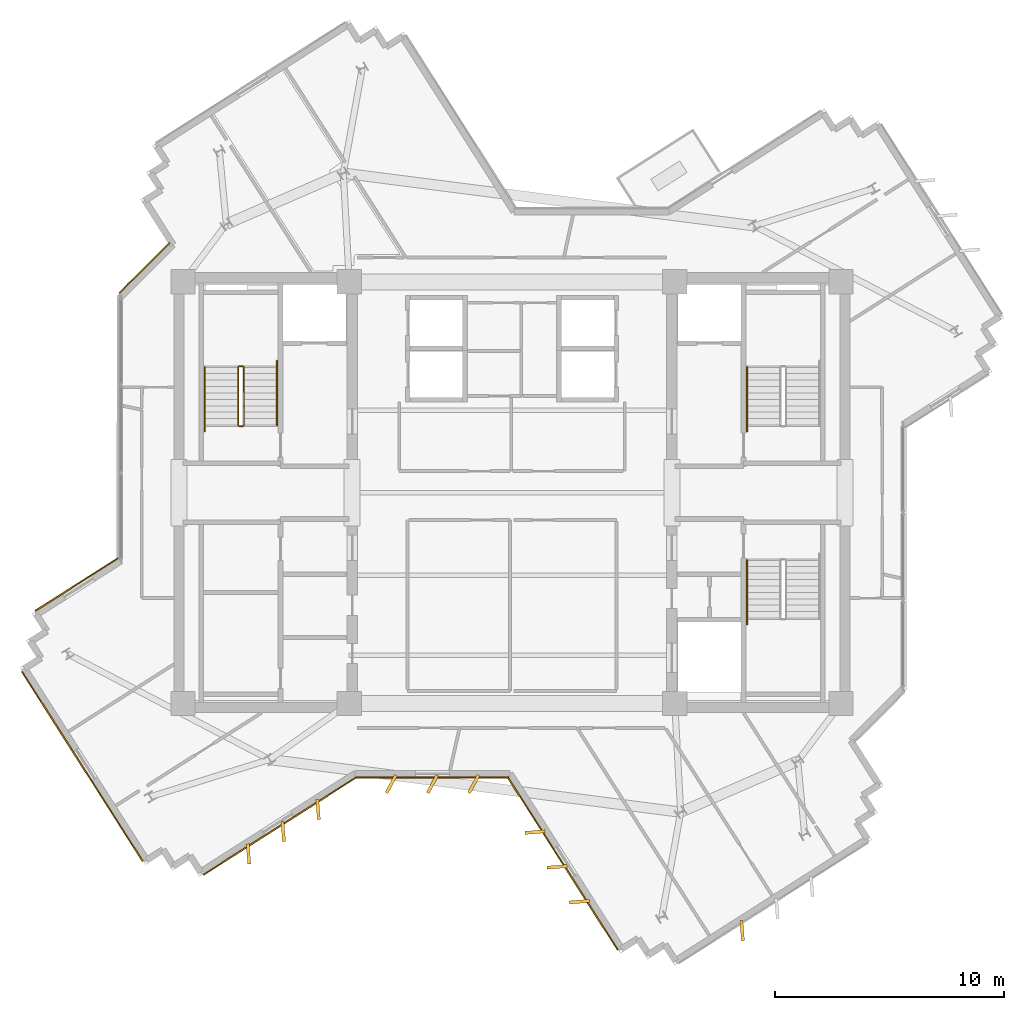
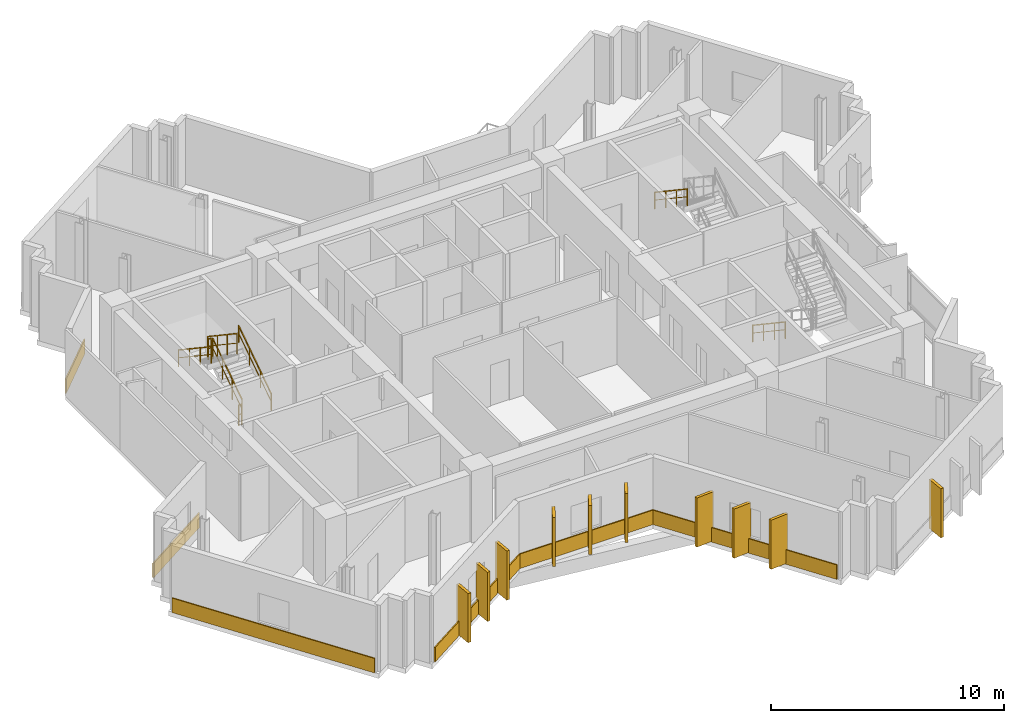
# One storey, part 10 of 12: 16 coverings, 8 railings.
"""IFC4 building model written with IfcOpenShell, lengths in metres."""

from ifc_helpers import new_model, si_unit, direction, frame, origin, origin_2d, place, context, subcontext, project, spatial, rectangle, extrude, source, transform, mapped, material, layer, layer_set, type_object, element, save


model = new_model("IFC4")

# Units and contexts
model_context = context("Model", 3, precision=1e-05, world=origin(), true_north=direction((0.0, 1.0)))
body_context = subcontext(model_context, "Body", "Model", "MODEL_VIEW")
ifc_project = project(units=[si_unit("LENGTHUNIT", "METRE"), si_unit("AREAUNIT", "SQUARE_METRE"), si_unit("VOLUMEUNIT", "CUBIC_METRE"), si_unit("PLANEANGLEUNIT", "RADIAN"), si_unit("MASSUNIT", "GRAM", prefix="KILO")], contexts=[model_context])

# Site, building, storey
site_placement = place(None, origin())
site = spatial("IfcSite", under=ifc_project, at=site_placement, CompositionType="ELEMENT")
building_placement = place(site_placement, origin())
building = spatial("IfcBuilding", under=site, at=building_placement, Name="Zahravan Cultural Tower", CompositionType="ELEMENT")
storey_placement = place(building_placement, frame((0.0, 0.0, 269.10009765625)))
storey = spatial("IfcBuildingStorey", under=building, at=storey_placement, Name="L64", CompositionType="ELEMENT", Elevation=269.10009765625)

# Railings
ifc_material_1 = material(Name="Steel ASTM A572 Grade 50", Category="steel")
railing_type_1 = type_object("IfcRailingType", Name="RL-STAIR-GRD1150", PredefinedType="BALUSTRADE", material=ifc_material_1)
railing_1_placement = place(storey_placement, frame((24.300048828125, 29.949951171875, 0.1875)))
element("IfcRailing", 1, at=railing_1_placement, inside=storey, type_object=railing_type_1, Name="L64 ST-W1 stair guard 1", PredefinedType="BALUSTRADE", context=body_context, shape_type="SweptSolid", body=[
    extrude(rectangle(XDim=0.05, YDim=0.05, at=origin_2d()), frame((0.0, 0.0, 1.0751953125), z_axis=(0.0, 0.830909170722, 0.55640807867), x_axis=(-1.0, 0.0, 0.0)), (0.0, 0.0, 1.0), 3.032958984375),
    extrude(rectangle(XDim=0.032, YDim=0.032, at=origin_2d()), frame((0.0, 0.0, 0.572021484375), z_axis=(0.0, 0.830909170722, 0.55640807867), x_axis=(-1.0, 0.0, 0.0)), (0.0, 0.0, 1.0), 3.032958984375),
    extrude(rectangle(XDim=0.04, YDim=0.04, at=origin_2d()), origin(), (0.0, 0.0, 1.0), 1.10009765625),
    extrude(rectangle(XDim=0.04, YDim=0.04, at=origin_2d()), frame((0.0, 0.840087890625, 0.5625)), (0.0, 0.0, 1.0), 1.10009765625),
    extrude(rectangle(XDim=0.04, YDim=0.04, at=origin_2d()), frame((0.0, 1.679931640625, 1.125)), (0.0, 0.0, 1.0), 1.10009765625),
    extrude(rectangle(XDim=0.04, YDim=0.04, at=origin_2d()), frame((0.0, 2.52001953125, 1.6875)), (0.0, 0.0, 1.0), 1.10009765625),
])
railing_2_placement = place(storey_placement, frame((24.25, 32.52001953125, 1.875)))
element("IfcRailing", 2, at=railing_2_placement, inside=storey, type_object=railing_type_1, Name="L64 ST-W1 stair guard 2", PredefinedType="BALUSTRADE", context=body_context, shape_type="SweptSolid", body=[
    extrude(rectangle(XDim=0.05, YDim=0.05, at=origin_2d()), frame((0.0, 0.0, 1.0751953125), z_axis=(-1.0, 0.0, 0.0), x_axis=(0.0, -1.0, 0.0)), (0.0, 0.0, 1.0), 0.14990234375),
    extrude(rectangle(XDim=0.032, YDim=0.032, at=origin_2d()), frame((0.0, 0.0, 0.572021484375), z_axis=(-1.0, 0.0, 0.0), x_axis=(0.0, -1.0, 0.0)), (0.0, 0.0, 1.0), 0.14990234375),
    extrude(rectangle(XDim=0.04, YDim=0.04, at=origin_2d()), origin(), (0.0, 0.0, 1.0), 1.10009765625),
    extrude(rectangle(XDim=0.04, YDim=0.04, at=origin_2d()), frame((-0.14990234375, 0.0, 0.0)), (0.0, 0.0, 1.0), 1.10009765625),
])
railing_3_placement = place(storey_placement, frame((24.050048828125, 32.469970703125, 2.0625)))
element("IfcRailing", 3, at=railing_3_placement, inside=storey, type_object=railing_type_1, Name="L64 ST-W1 stair guard 3", PredefinedType="BALUSTRADE", context=body_context, shape_type="SweptSolid", body=[
    extrude(rectangle(XDim=0.05, YDim=0.05, at=origin_2d()), frame((0.0, 0.0, 1.0751953125), z_axis=(0.0, -0.830909170722, 0.55640807867), x_axis=(1.0, 0.0, 0.0)), (0.0, 0.0, 1.0), 3.032958984375),
    extrude(rectangle(XDim=0.032, YDim=0.032, at=origin_2d()), frame((0.0, 0.0, 0.572021484375), z_axis=(0.0, -0.830909170722, 0.55640807867), x_axis=(1.0, 0.0, 0.0)), (0.0, 0.0, 1.0), 3.032958984375),
    extrude(rectangle(XDim=0.04, YDim=0.04, at=origin_2d()), origin(), (0.0, 0.0, 1.0), 1.10009765625),
    extrude(rectangle(XDim=0.04, YDim=0.04, at=origin_2d()), frame((0.0, -0.840087890625, 0.5625)), (0.0, 0.0, 1.0), 1.10009765625),
    extrude(rectangle(XDim=0.04, YDim=0.04, at=origin_2d()), frame((0.0, -1.679931640625, 1.125)), (0.0, 0.0, 1.0), 1.10009765625),
    extrude(rectangle(XDim=0.04, YDim=0.04, at=origin_2d()), frame((0.0, -2.52001953125, 1.6875)), (0.0, 0.0, 1.0), 1.10009765625),
])
railing_4_placement = place(storey_placement, frame((24.25, 29.89990234375, 0.0)))
element("IfcRailing", 4, at=railing_4_placement, inside=storey, type_object=railing_type_1, Name="L64 ST-W1 stair guard 4", PredefinedType="BALUSTRADE", context=body_context, shape_type="SweptSolid", body=[
    extrude(rectangle(XDim=0.05, YDim=0.05, at=origin_2d()), frame((0.0, 0.0, 1.0751953125), z_axis=(-1.0, 0.0, 0.0), x_axis=(0.0, -1.0, 0.0)), (0.0, 0.0, 1.0), 0.14990234375),
    extrude(rectangle(XDim=0.032, YDim=0.032, at=origin_2d()), frame((0.0, 0.0, 0.572021484375), z_axis=(-1.0, 0.0, 0.0), x_axis=(0.0, -1.0, 0.0)), (0.0, 0.0, 1.0), 0.14990234375),
    extrude(rectangle(XDim=0.04, YDim=0.04, at=origin_2d()), origin(), (0.0, 0.0, 1.0), 1.10009765625),
    extrude(rectangle(XDim=0.04, YDim=0.04, at=origin_2d()), frame((-0.14990234375, 0.0, 0.0)), (0.0, 0.0, 1.0), 1.10009765625),
])
railing_type_2 = type_object("IfcRailingType", Name="RL-STAIR-HR900", PredefinedType="HANDRAIL", material=ifc_material_1)
railing_5_placement = place(storey_placement, frame((25.75, 29.949951171875, 0.1875)))
element("IfcRailing", 5, at=railing_5_placement, inside=storey, type_object=railing_type_2, Name="L64 ST-W1 stair handrail 1", PredefinedType="HANDRAIL", context=body_context, shape_type="SweptSolid", body=[
    extrude(rectangle(XDim=0.05, YDim=0.05, at=origin_2d()), frame((0.0, 0.0, 0.875), z_axis=(0.0, 0.830911662861, 0.55640435703), x_axis=(-1.0, 0.0, 0.0)), (0.0, 0.0, 1.0), 3.369873046875),
    extrude(rectangle(XDim=0.032, YDim=0.032, at=origin_2d()), frame((0.0, 0.0, 0.468017578125), z_axis=(0.0, 0.830911662861, 0.55640435703), x_axis=(-1.0, 0.0, 0.0)), (0.0, 0.0, 1.0), 3.369873046875),
    extrude(rectangle(XDim=0.04, YDim=0.04, at=origin_2d()), origin(), (0.0, 0.0, 1.0), 0.89990234375),
    extrude(rectangle(XDim=0.04, YDim=0.04, at=origin_2d()), frame((0.0, 0.933349609375, 0.625)), (0.0, 0.0, 1.0), 0.89990234375),
    extrude(rectangle(XDim=0.04, YDim=0.04, at=origin_2d()), frame((0.0, 1.86669921875, 1.25)), (0.0, 0.0, 1.0), 0.89990234375),
    extrude(rectangle(XDim=0.04, YDim=0.04, at=origin_2d()), frame((0.0, 2.800048828125, 1.875)), (0.0, 0.0, 1.0), 0.89990234375),
])
for number, where, name in (
    (6, (22.60009765625, 32.469970703125, 2.0625), "L64 ST-W1 stair handrail 2"),
    (7, (46.25, 32.469970703125, 2.0625), "L64 ST-E1 stair handrail 2"),
    (8, (46.25, 24.050048828125, 0.1875), "L64 ST-E2 stair handrail 1"),
):
    element("IfcRailing", number, at=place(storey_placement, frame(where)), inside=storey, type_object=railing_type_2, Name=name, PredefinedType="HANDRAIL", context=body_context, shape_type="SweptSolid", body=[
        extrude(rectangle(XDim=0.05, YDim=0.05, at=origin_2d()), frame((0.0, 0.0, 0.875), z_axis=(0.0, -0.830911662861, 0.55640435703), x_axis=(1.0, 0.0, 0.0)), (0.0, 0.0, 1.0), 3.369873046875),
        extrude(rectangle(XDim=0.032, YDim=0.032, at=origin_2d()), frame((0.0, 0.0, 0.468017578125), z_axis=(0.0, -0.830911662861, 0.55640435703), x_axis=(1.0, 0.0, 0.0)), (0.0, 0.0, 1.0), 3.369873046875),
        extrude(rectangle(XDim=0.04, YDim=0.04, at=origin_2d()), origin(), (0.0, 0.0, 1.0), 0.89990234375),
        extrude(rectangle(XDim=0.04, YDim=0.04, at=origin_2d()), frame((0.0, -0.933349609375, 0.625)), (0.0, 0.0, 1.0), 0.89990234375),
        extrude(rectangle(XDim=0.04, YDim=0.04, at=origin_2d()), frame((0.0, -1.86669921875, 1.25)), (0.0, 0.0, 1.0), 0.89990234375),
        extrude(rectangle(XDim=0.04, YDim=0.04, at=origin_2d()), frame((0.0, -2.800048828125, 1.875)), (0.0, 0.0, 1.0), 0.89990234375),
    ])

# Coverings
ifc_material_2 = material(Name="Terracotta ceramic cladding", Category="masonry")
ifc_layer = layer(ifc_material_2, 0.06005859375)
ifc_layer_set = layer_set([ifc_layer], Name="Terracotta ceramic cladding")
covering_type = type_object("IfcCoveringType", Name="COV-CLAD-TC60", PredefinedType="CLADDING", material=ifc_layer_set)
shared_shape_1 = source(origin(), body_context, "Body", "SweptSolid", [
    extrude(rectangle(XDim=9.81982421875, YDim=0.06005859375, at=origin_2d()), origin(), (0.0, 0.0, 1.0), 0.760009765625),
])
covering_1_placement = place(storey_placement, frame((17.255615234375, 15.05859375, 0.02001953125), z_axis=(0.0, 0.0, 1.0), x_axis=(-0.537299608347, 0.843391445813, 0.0)))
element("IfcCovering", 9, at=covering_1_placement, inside=storey, type_object=covering_type, Name="L64 Terracotta Spandrel Cladding 30", PredefinedType="CLADDING", context=body_context, shape_type="MappedRepresentation", body=[
    mapped(shared_shape_1, transform((0.0, 0.0, 0.0), x_axis=(1.0, 0.0, 0.0), y_axis=(0.0, 1.0, 0.0), z_axis=(0.0, 0.0, 1.0), scale=1.0)),
])
shared_shape_2 = source(origin(), body_context, "Body", "SweptSolid", [
    extrude(rectangle(XDim=0.8798828125, YDim=0.139892578125, at=origin_2d()), origin(), (0.0, 0.0, 1.0), 2.580078125),
])
for number, where, z_axis, x_axis, name in (
    (10, (46.039306640625, 7.8916015625, 0.0498046875), (0.0, 0.0, 1.0), (0.078459095728, -0.996917333733, 0.0), "L64 Herringbone Terracotta Fin 07"),
    (11, (38.93701171875, 9.156982421875, 0.0498046875), (0.0, 0.0, 1.0), (-0.996917333733, -0.078459095728, 0.0), "L64 Herringbone Terracotta Fin 08"),
    (12, (37.969970703125, 10.675048828125, 0.0498046875), (0.0, 0.0, 1.0), (-0.996917333733, -0.078459095728, 0.0), "L64 Herringbone Terracotta Fin 09"),
    (13, (37.002685546875, 12.193115234375, 0.0498046875), (0.0, 0.0, 1.0), (-0.996917333733, -0.078459095728, 0.0), "L64 Herringbone Terracotta Fin 10"),
    (14, (34.33251953125, 14.2900390625, 0.0498046875), (0.0, 0.0, 1.0), (-0.469471562786, -0.882947592859, 0.0), "L64 Herringbone Terracotta Fin 11"),
    (15, (32.532470703125, 14.2900390625, 0.0498046875), (0.0, 0.0, 1.0), (-0.469471562786, -0.882947592859, 0.0), "L64 Herringbone Terracotta Fin 12"),
    (16, (30.732421875, 14.2900390625, 0.0498046875), (0.0, 0.0, 1.0), (-0.469471562786, -0.882947592859, 0.0), "L64 Herringbone Terracotta Fin 13"),
    (17, (27.538818359375, 13.179443359375, 0.0498046875), (0.0, 0.0, 1.0), (0.078459095728, -0.996917333733, 0.0), "L64 Herringbone Terracotta Fin 14"),
    (18, (26.020751953125, 12.21240234375, 0.0498046875), (0.0, 0.0, 1.0), (0.078459095728, -0.996917333733, 0.0), "L64 Herringbone Terracotta Fin 15"),
    (19, (24.502685546875, 11.2451171875, 0.0498046875), (0.0, 0.0, 1.0), (0.078459095728, -0.996917333733, 0.0), "L64 Herringbone Terracotta Fin 16"),
):
    element("IfcCovering", number, at=place(storey_placement, frame(where, z_axis=z_axis, x_axis=x_axis)), inside=storey, type_object=covering_type, Name=name, PredefinedType="CLADDING", context=body_context, shape_type="MappedRepresentation", body=[
        mapped(shared_shape_2, transform((0.0, 0.0, 0.0), x_axis=(1.0, 0.0, 0.0), y_axis=(0.0, 1.0, 0.0), z_axis=(0.0, 0.0, 1.0), scale=1.0)),
    ])
shared_shape_3 = source(origin(), body_context, "Body", "SweptSolid", [
    extrude(rectangle(XDim=7.896240234375, YDim=0.06005859375, at=origin_2d()), origin(), (0.0, 0.0, 1.0), 0.760009765625),
])
covering_2_placement = place(storey_placement, frame((25.86767578125, 12.45263671875, 0.02001953125), z_axis=(0.0, 0.0, 1.0), x_axis=(-0.843391445813, -0.537299608347, 0.0)))
element("IfcCovering", 20, at=covering_2_placement, inside=storey, type_object=covering_type, Name="L64 Terracotta Spandrel Cladding 25", PredefinedType="CLADDING", context=body_context, shape_type="MappedRepresentation", body=[
    mapped(shared_shape_3, transform((0.0, 0.0, 0.0), x_axis=(1.0, 0.0, 0.0), y_axis=(0.0, 1.0, 0.0), z_axis=(0.0, 0.0, 1.0), scale=1.0)),
])
shared_shape_4 = source(origin(), body_context, "Body", "SweptSolid", [
    extrude(rectangle(XDim=4.275146484375, YDim=0.06005859375, at=origin_2d()), origin(), (0.0, 0.0, 1.0), 0.760009765625),
])
covering_3_placement = place(storey_placement, frame((17.00634765625, 22.9921875, 0.02001953125), z_axis=(0.0, 0.0, 1.0), x_axis=(0.843382068037, 0.537314328223, 0.0)))
element("IfcCovering", 21, at=covering_3_placement, inside=storey, type_object=covering_type, Name="L64 Terracotta Spandrel Cladding 35", PredefinedType="CLADDING", context=body_context, shape_type="MappedRepresentation", body=[
    mapped(shared_shape_4, transform((0.0, 0.0, 0.0), x_axis=(1.0, 0.0, 0.0), y_axis=(0.0, 1.0, 0.0), z_axis=(0.0, 0.0, 1.0), scale=1.0)),
])
shared_shape_5 = source(origin(), body_context, "Body", "SweptSolid", [
    extrude(rectangle(XDim=3.114990234375, YDim=0.06005859375, at=origin_2d()), origin(), (0.0, 0.0, 1.0), 0.760009765625),
])
covering_4_placement = place(storey_placement, frame((19.9599609375, 36.79541015625, 0.02001953125), z_axis=(0.0, 0.0, 1.0), x_axis=(0.707094439737, 0.70711912242, 0.0)))
element("IfcCovering", 22, at=covering_4_placement, inside=storey, type_object=covering_type, Name="L64 Terracotta Spandrel Cladding 36", PredefinedType="CLADDING", context=body_context, shape_type="MappedRepresentation", body=[
    mapped(shared_shape_5, transform((0.0, 0.0, 0.0), x_axis=(1.0, 0.0, 0.0), y_axis=(0.0, 1.0, 0.0), z_axis=(0.0, 0.0, 1.0), scale=1.0)),
])
shared_shape_6 = source(origin(), body_context, "Body", "SweptSolid", [
    extrude(rectangle(XDim=8.96630859375, YDim=0.06005859375, at=origin_2d()), origin(), (0.0, 0.0, 1.0), 0.760009765625),
])
covering_5_placement = place(storey_placement, frame((38.210205078125, 10.828125, 0.02001953125), z_axis=(0.0, 0.0, 1.0), x_axis=(-0.537299608347, 0.843391445813, 0.0)))
element("IfcCovering", 23, at=covering_5_placement, inside=storey, type_object=covering_type, Name="L64 Terracotta Spandrel Cladding 23", PredefinedType="CLADDING", context=body_context, shape_type="MappedRepresentation", body=[
    mapped(shared_shape_6, transform((0.0, 0.0, 0.0), x_axis=(1.0, 0.0, 0.0), y_axis=(0.0, 1.0, 0.0), z_axis=(0.0, 0.0, 1.0), scale=1.0)),
])
shared_shape_7 = source(origin(), body_context, "Body", "SweptSolid", [
    extrude(rectangle(XDim=6.662841796875, YDim=0.06005859375, at=origin_2d()), origin(), (0.0, 0.0, 1.0), 0.760009765625),
])
covering_6_placement = place(storey_placement, frame((32.532470703125, 14.574951171875, 0.02001953125), z_axis=(0.0, 0.0, 1.0), x_axis=(-1.0, 0.0, 0.0)))
element("IfcCovering", 24, at=covering_6_placement, inside=storey, type_object=covering_type, Name="L64 Terracotta Spandrel Cladding 24", PredefinedType="CLADDING", context=body_context, shape_type="MappedRepresentation", body=[
    mapped(shared_shape_7, transform((0.0, 0.0, 0.0), x_axis=(1.0, 0.0, 0.0), y_axis=(0.0, 1.0, 0.0), z_axis=(0.0, 0.0, 1.0), scale=1.0)),
])

save(model, "model.ifc")
